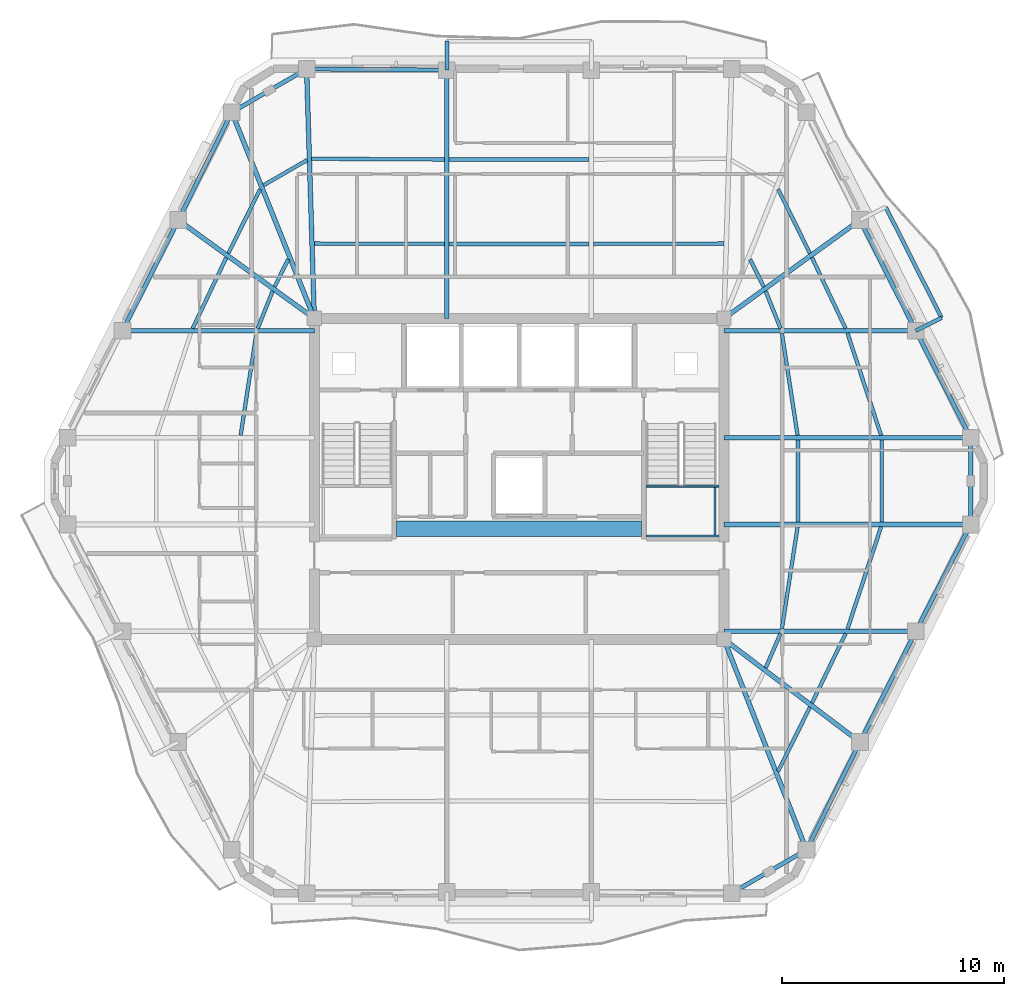
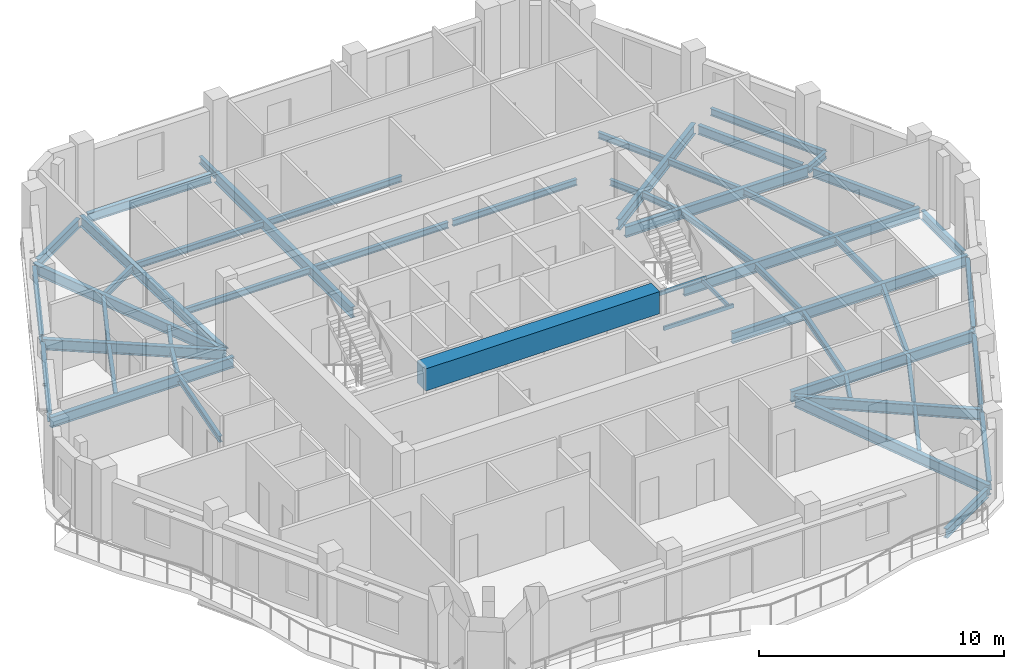
# One storey, part 2 of 11: 54 beams.
"""IFC4 building model written with IfcOpenShell, lengths in metres."""

from ifc_helpers import new_model, si_unit, direction, frame, origin, origin_2d, place, context, subcontext, project, spatial, rectangle, hollow_rectangle, i_section, extrude, material, material_profile, profile_set, type_object, element, save


model = new_model("IFC4")

# Units and contexts
model_context = context("Model", 3, precision=1e-05, world=origin(), true_north=direction((0.0, 1.0)))
body_context = subcontext(model_context, "Body", "Model", "MODEL_VIEW")
ifc_project = project(units=[si_unit("LENGTHUNIT", "METRE"), si_unit("AREAUNIT", "SQUARE_METRE"), si_unit("VOLUMEUNIT", "CUBIC_METRE"), si_unit("PLANEANGLEUNIT", "RADIAN"), si_unit("MASSUNIT", "GRAM", prefix="KILO")], contexts=[model_context])

# Site, building, storey
site_placement = place(None, origin())
site = spatial("IfcSite", under=ifc_project, at=site_placement, CompositionType="ELEMENT")
building_placement = place(site_placement, origin())
building = spatial("IfcBuilding", under=site, at=building_placement, Name="Cinnabar Lancet Tower", CompositionType="ELEMENT")
storey_placement = place(building_placement, frame((0.0, 0.0, 241.60009765625)))
storey = spatial("IfcBuildingStorey", under=building, at=storey_placement, Name="L64", CompositionType="ELEMENT", Elevation=241.60009765625)

# Beams
ifc_material_1 = material(Name="Concrete C70/85", Category="concrete")
ifc_material_profile_1 = material_profile(ifc_material_1, rectangle(XDim=0.699951171875, YDim=1.10009765625, at=origin_2d()), Name="RC-CB 700x1100")
ifc_profile_set_1 = profile_set([ifc_material_profile_1], Name="Concrete C70/85")
beam_type_1 = type_object("IfcBeamType", Name="STR-BM-CB-1100", PredefinedType="BEAM", material=ifc_profile_set_1)
beam_1_placement = place(storey_placement, frame((26.8798828125, 23.64990234375, 2.89990234375), z_axis=(1.0, 0.0, 0.0), x_axis=(0.0, 1.0, 0.0)))
element("IfcBeam", 1, at=beam_1_placement, inside=storey, type_object=beam_type_1, Name="L64 Core Coupling Beam", PredefinedType="BEAM", context=body_context, shape_type="SweptSolid", body=[
    extrude(rectangle(XDim=0.699951171875, YDim=1.10009765625, at=origin_2d()), origin(), (0.0, 0.0, 1.0), 11.0400390625),
])
ifc_material_2 = material(Name="Structural steel S355", Category="steel")
ifc_material_profile_2 = material_profile(ifc_material_2, i_section(OverallWidth=0.1650390625, OverallDepth=0.303466796875, WebThickness=0.006103515625, FlangeThickness=0.01025390625, FilletRadius=0.0087890625, at=origin_2d()), Name="UKB 305x165x40")
ifc_profile_set_2 = profile_set([ifc_material_profile_2], Name="Structural steel S355")
beam_type_2 = type_object("IfcBeamType", Name="STR-BM-JST-305", PredefinedType="JOIST", material=ifc_profile_set_2)
beam_2_placement = place(storey_placement, frame((44.06591796875, 12.73193359375, -0.35205078125), z_axis=(0.444391284604, 0.895832789179, 0.0), x_axis=(-0.895832789179, 0.444391284604, 0.0)))
element("IfcBeam", 2, at=beam_2_placement, inside=storey, type_object=beam_type_2, Name="L64 Secondary Floor Joist 15", PredefinedType="JOIST", context=body_context, shape_type="SweptSolid", body=[
    extrude(i_section(OverallWidth=0.1650390625, OverallDepth=0.303466796875, WebThickness=0.006103515625, FlangeThickness=0.01025390625, FilletRadius=0.0087890625, at=origin_2d()), origin(), (0.0, 0.0, 1.0), 3.220458984375),
])
beam_3_placement = place(storey_placement, frame((45.591064453125, 15.80810546875, -0.35205078125), z_axis=(0.43610936109, 0.899893674369, 0.0), x_axis=(-0.899893674369, 0.43610936109, 0.0)))
element("IfcBeam", 3, at=beam_3_placement, inside=storey, type_object=beam_type_2, Name="L64 Secondary Floor Joist 17", PredefinedType="JOIST", context=body_context, shape_type="SweptSolid", body=[
    extrude(i_section(OverallWidth=0.1650390625, OverallDepth=0.303466796875, WebThickness=0.006103515625, FlangeThickness=0.01025390625, FilletRadius=0.0087890625, at=origin_2d()), origin(), (0.0, 0.0, 1.0), 3.467041015625),
])
beam_4_placement = place(storey_placement, frame((43.5048828125, 17.385009765625, -0.35205078125), z_axis=(0.396302440144, 0.91812002262, 0.0), x_axis=(-0.91812002262, 0.396302440144, 0.0)))
element("IfcBeam", 4, at=beam_4_placement, inside=storey, type_object=beam_type_2, Name="L64 Secondary Floor Joist 18", PredefinedType="JOIST", context=body_context, shape_type="SweptSolid", body=[
    extrude(i_section(OverallWidth=0.1650390625, OverallDepth=0.303466796875, WebThickness=0.006103515625, FlangeThickness=0.01025390625, FilletRadius=0.0087890625, at=origin_2d()), origin(), (0.0, 0.0, 1.0), 1.6806640625),
])
beam_5_placement = place(storey_placement, frame((47.18798828125, 19.137939453125, -0.35205078125), z_axis=(0.312491145371, 0.949920672512, 0.0), x_axis=(-0.949920672512, 0.312491145371, 0.0)))
element("IfcBeam", 5, at=beam_5_placement, inside=storey, type_object=beam_type_2, Name="L64 Secondary Floor Joist 19", PredefinedType="JOIST", context=body_context, shape_type="SweptSolid", body=[
    extrude(i_section(OverallWidth=0.1650390625, OverallDepth=0.303466796875, WebThickness=0.006103515625, FlangeThickness=0.01025390625, FilletRadius=0.0087890625, at=origin_2d()), origin(), (0.0, 0.0, 1.0), 4.8447265625),
])
beam_6_placement = place(storey_placement, frame((44.23291015625, 19.137939453125, -0.35205078125), z_axis=(0.152262059154, 0.988340156698, 0.0), x_axis=(-0.988340156698, 0.152262059154, 0.0)))
element("IfcBeam", 6, at=beam_6_placement, inside=storey, type_object=beam_type_2, Name="L64 Secondary Floor Joist 20", PredefinedType="JOIST", context=body_context, shape_type="SweptSolid", body=[
    extrude(i_section(OverallWidth=0.1650390625, OverallDepth=0.303466796875, WebThickness=0.006103515625, FlangeThickness=0.01025390625, FilletRadius=0.0087890625, at=origin_2d()), origin(), (0.0, 0.0, 1.0), 4.65625),
])
for number, where, z_axis, x_axis, name in (
    (7, (48.737060546875, 23.949951171875, -0.35205078125), (0.0, 1.0, 0.0), (-1.0, 0.0, 0.0), "L64 Secondary Floor Joist 21"),
    (8, (44.958984375, 23.949951171875, -0.35205078125), (0.0, 1.0, 0.0), (-1.0, 0.0, 0.0), "L64 Secondary Floor Joist 22"),
):
    element("IfcBeam", number, at=place(storey_placement, frame(where, z_axis=z_axis, x_axis=x_axis)), inside=storey, type_object=beam_type_2, Name=name, PredefinedType="JOIST", context=body_context, shape_type="SweptSolid", body=[
        extrude(i_section(OverallWidth=0.1650390625, OverallDepth=0.303466796875, WebThickness=0.006103515625, FlangeThickness=0.01025390625, FilletRadius=0.0087890625, at=origin_2d()), origin(), (0.0, 0.0, 1.0), 3.699951171875),
    ])
beam_7_placement = place(storey_placement, frame((48.701904296875, 27.860107421875, -0.35205078125), z_axis=(-0.312506104996, 0.94991575118, 0.0), x_axis=(-0.94991575118, -0.312506104996, 0.0)))
element("IfcBeam", 9, at=beam_7_placement, inside=storey, type_object=beam_type_2, Name="L64 Secondary Floor Joist 23", PredefinedType="JOIST", context=body_context, shape_type="SweptSolid", body=[
    extrude(i_section(OverallWidth=0.1650390625, OverallDepth=0.303466796875, WebThickness=0.006103515625, FlangeThickness=0.01025390625, FilletRadius=0.0087890625, at=origin_2d()), origin(), (0.0, 0.0, 1.0), 4.844482421875),
])
beam_8_placement = place(storey_placement, frame((44.94189453125, 27.860107421875, -0.35205078125), z_axis=(-0.152269949853, 0.988338941038, 0.0), x_axis=(-0.988338941038, -0.152269949853, 0.0)))
element("IfcBeam", 10, at=beam_8_placement, inside=storey, type_object=beam_type_2, Name="L64 Secondary Floor Joist 24", PredefinedType="JOIST", context=body_context, shape_type="SweptSolid", body=[
    extrude(i_section(OverallWidth=0.1650390625, OverallDepth=0.303466796875, WebThickness=0.006103515625, FlangeThickness=0.01025390625, FilletRadius=0.0087890625, at=origin_2d()), origin(), (0.0, 0.0, 1.0), 4.656005859375),
])
beam_9_placement = place(storey_placement, frame((47.10400390625, 32.672119140625, -0.35205078125), z_axis=(-0.428647868514, 0.903471640296, 0.0), x_axis=(-0.903471640296, -0.428647868514, 0.0)))
element("IfcBeam", 11, at=beam_9_placement, inside=storey, type_object=beam_type_2, Name="L64 Secondary Floor Joist 25", PredefinedType="JOIST", context=body_context, shape_type="SweptSolid", body=[
    extrude(i_section(OverallWidth=0.1650390625, OverallDepth=0.303466796875, WebThickness=0.006103515625, FlangeThickness=0.01025390625, FilletRadius=0.0087890625, at=origin_2d()), origin(), (0.0, 0.0, 1.0), 3.53173828125),
])
beam_10_placement = place(storey_placement, frame((44.175048828125, 32.672119140625, -0.35205078125), z_axis=(-0.37155332079, 0.928411616585, 0.0), x_axis=(-0.928411616585, -0.37155332079, 0.0)))
element("IfcBeam", 12, at=beam_10_placement, inside=storey, type_object=beam_type_2, Name="L64 Secondary Floor Joist 26", PredefinedType="JOIST", context=body_context, shape_type="SweptSolid", body=[
    extrude(i_section(OverallWidth=0.1650390625, OverallDepth=0.303466796875, WebThickness=0.006103515625, FlangeThickness=0.01025390625, FilletRadius=0.0087890625, at=origin_2d()), origin(), (0.0, 0.0, 1.0), 1.8115234375),
])
beam_11_placement = place(storey_placement, frame((45.4970703125, 36.054931640625, -0.35205078125), z_axis=(-0.44427059531, 0.895892648783, 0.0), x_axis=(-0.895892648783, -0.44427059531, 0.0)))
element("IfcBeam", 13, at=beam_11_placement, inside=storey, type_object=beam_type_2, Name="L64 Secondary Floor Joist 27", PredefinedType="JOIST", context=body_context, shape_type="SweptSolid", body=[
    extrude(i_section(OverallWidth=0.1650390625, OverallDepth=0.303466796875, WebThickness=0.006103515625, FlangeThickness=0.01025390625, FilletRadius=0.0087890625, at=origin_2d()), origin(), (0.0, 0.0, 1.0), 3.221435546875),
])
beam_12_placement = place(storey_placement, frame((43.4150390625, 34.549072265625, -0.35205078125), z_axis=(-0.444661746427, 0.895698571655, 0.0), x_axis=(-0.895698571655, -0.444661746427, 0.0)))
element("IfcBeam", 14, at=beam_12_placement, inside=storey, type_object=beam_type_2, Name="L64 Secondary Floor Joist 28", PredefinedType="JOIST", context=body_context, shape_type="SweptSolid", body=[
    extrude(i_section(OverallWidth=0.1650390625, OverallDepth=0.303466796875, WebThickness=0.006103515625, FlangeThickness=0.01025390625, FilletRadius=0.0087890625, at=origin_2d()), origin(), (0.0, 0.0, 1.0), 1.378662109375),
])
beam_13_placement = place(storey_placement, frame((41.6240234375, 36.49609375, -0.35205078125), z_axis=(-0.999996226008, -0.002747356738, 0.0), x_axis=(0.002747356738, -0.999996226008, 0.0)))
element("IfcBeam", 15, at=beam_13_placement, inside=storey, type_object=beam_type_2, Name="L64 Secondary Floor Joist 31", PredefinedType="JOIST", context=body_context, shape_type="SweptSolid", body=[
    extrude(i_section(OverallWidth=0.1650390625, OverallDepth=0.303466796875, WebThickness=0.006103515625, FlangeThickness=0.01025390625, FilletRadius=0.0087890625, at=origin_2d()), origin(), (0.0, 0.0, 1.0), 5.864990234375),
])
for number, where, z_axis, x_axis, name in (
    (16, (35.549072265625, 40.281982421875, -0.35205078125), (-1.0, 0.0, 0.0), (0.0, -1.0, 0.0), "L64 Secondary Floor Joist 32"),
    (17, (35.549072265625, 36.47998046875, -0.35205078125), (-1.0, 0.0, 0.0), (0.0, -1.0, 0.0), "L64 Secondary Floor Joist 33"),
):
    element("IfcBeam", number, at=place(storey_placement, frame(where, z_axis=z_axis, x_axis=x_axis)), inside=storey, type_object=beam_type_2, Name=name, PredefinedType="JOIST", context=body_context, shape_type="SweptSolid", body=[
        extrude(i_section(OverallWidth=0.1650390625, OverallDepth=0.303466796875, WebThickness=0.006103515625, FlangeThickness=0.01025390625, FilletRadius=0.0087890625, at=origin_2d()), origin(), (0.0, 0.0, 1.0), 6.298095703125),
    ])
beam_14_placement = place(storey_placement, frame((29.041015625, 40.282958984375, -0.35205078125), z_axis=(-0.999985712428, 0.005345553266, 0.0), x_axis=(-0.005345553266, -0.999985712428, 0.0)))
element("IfcBeam", 18, at=beam_14_placement, inside=storey, type_object=beam_type_2, Name="L64 Secondary Floor Joist 34", PredefinedType="JOIST", context=body_context, shape_type="SweptSolid", body=[
    extrude(i_section(OverallWidth=0.1650390625, OverallDepth=0.303466796875, WebThickness=0.006103515625, FlangeThickness=0.01025390625, FilletRadius=0.0087890625, at=origin_2d()), origin(), (0.0, 0.0, 1.0), 5.98291015625),
])
beam_15_placement = place(storey_placement, frame((29.041015625, 36.47998046875, -0.35205078125), z_axis=(-0.999996226008, 0.002747356738, 0.0), x_axis=(-0.002747356738, -0.999996226008, 0.0)))
element("IfcBeam", 19, at=beam_15_placement, inside=storey, type_object=beam_type_2, Name="L64 Secondary Floor Joist 35", PredefinedType="JOIST", context=body_context, shape_type="SweptSolid", body=[
    extrude(i_section(OverallWidth=0.1650390625, OverallDepth=0.303466796875, WebThickness=0.006103515625, FlangeThickness=0.01025390625, FilletRadius=0.0087890625, at=origin_2d()), origin(), (0.0, 0.0, 1.0), 5.864990234375),
])
beam_16_placement = place(storey_placement, frame((22.85009765625, 40.256103515625, -0.35205078125), z_axis=(-0.865426285481, -0.501036270542, 0.0), x_axis=(0.501036270542, -0.865426285481, 0.0)))
element("IfcBeam", 20, at=beam_16_placement, inside=storey, type_object=beam_type_2, Name="L64 Secondary Floor Joist 36", PredefinedType="JOIST", context=body_context, shape_type="SweptSolid", body=[
    extrude(i_section(OverallWidth=0.1650390625, OverallDepth=0.303466796875, WebThickness=0.006103515625, FlangeThickness=0.01025390625, FilletRadius=0.0087890625, at=origin_2d()), origin(), (0.0, 0.0, 1.0), 2.267333984375),
])
beam_17_placement = place(storey_placement, frame((20.73388671875, 38.94091796875, -0.35205078125), z_axis=(-0.444209762814, -0.89592281287, 0.0), x_axis=(0.89592281287, -0.444209762814, 0.0)))
element("IfcBeam", 21, at=beam_17_placement, inside=storey, type_object=beam_type_2, Name="L64 Secondary Floor Joist 37", PredefinedType="JOIST", context=body_context, shape_type="SweptSolid", body=[
    extrude(i_section(OverallWidth=0.1650390625, OverallDepth=0.303466796875, WebThickness=0.006103515625, FlangeThickness=0.01025390625, FilletRadius=0.0087890625, at=origin_2d()), origin(), (0.0, 0.0, 1.0), 3.22119140625),
])
beam_18_placement = place(storey_placement, frame((21.998046875, 35.783935546875, -0.35205078125), z_axis=(-0.444661746427, -0.895698571655, 0.0), x_axis=(0.895698571655, -0.444661746427, 0.0)))
element("IfcBeam", 22, at=beam_18_placement, inside=storey, type_object=beam_type_2, Name="L64 Secondary Floor Joist 38", PredefinedType="JOIST", context=body_context, shape_type="SweptSolid", body=[
    extrude(i_section(OverallWidth=0.1650390625, OverallDepth=0.303466796875, WebThickness=0.006103515625, FlangeThickness=0.01025390625, FilletRadius=0.0087890625, at=origin_2d()), origin(), (0.0, 0.0, 1.0), 1.378662109375),
])
beam_19_placement = place(storey_placement, frame((19.2099609375, 35.863037109375, -0.35205078125), z_axis=(-0.428647868514, -0.903471640296, 0.0), x_axis=(0.903471640296, -0.428647868514, 0.0)))
element("IfcBeam", 23, at=beam_19_placement, inside=storey, type_object=beam_type_2, Name="L64 Secondary Floor Joist 39", PredefinedType="JOIST", context=body_context, shape_type="SweptSolid", body=[
    extrude(i_section(OverallWidth=0.1650390625, OverallDepth=0.303466796875, WebThickness=0.006103515625, FlangeThickness=0.01025390625, FilletRadius=0.0087890625, at=origin_2d()), origin(), (0.0, 0.0, 1.0), 3.53173828125),
])
beam_20_placement = place(storey_placement, frame((21.298095703125, 34.35400390625, -0.35205078125), z_axis=(-0.37155332079, -0.928411616585, 0.0), x_axis=(0.928411616585, -0.37155332079, 0.0)))
element("IfcBeam", 24, at=beam_20_placement, inside=storey, type_object=beam_type_2, Name="L64 Secondary Floor Joist 40", PredefinedType="JOIST", context=body_context, shape_type="SweptSolid", body=[
    extrude(i_section(OverallWidth=0.1650390625, OverallDepth=0.303466796875, WebThickness=0.006103515625, FlangeThickness=0.01025390625, FilletRadius=0.0087890625, at=origin_2d()), origin(), (0.0, 0.0, 1.0), 1.8115234375),
])
beam_21_placement = place(storey_placement, frame((20.56689453125, 32.4619140625, -0.35205078125), z_axis=(-0.152269949853, -0.988338941038, 0.0), x_axis=(0.988338941038, -0.152269949853, 0.0)))
element("IfcBeam", 25, at=beam_21_placement, inside=storey, type_object=beam_type_2, Name="L64 Secondary Floor Joist 42", PredefinedType="JOIST", context=body_context, shape_type="SweptSolid", body=[
    extrude(i_section(OverallWidth=0.1650390625, OverallDepth=0.303466796875, WebThickness=0.006103515625, FlangeThickness=0.01025390625, FilletRadius=0.0087890625, at=origin_2d()), origin(), (0.0, 0.0, 1.0), 4.656005859375),
])
ifc_material_3 = material(Name="Structural steel S355", Category="steel")
ifc_material_profile_3 = material_profile(ifc_material_3, hollow_rectangle(XDim=0.10009765625, YDim=0.199951171875, WallThickness=0.008056640625, InnerFilletRadius=0.00390625, OuterFilletRadius=0.011962890625, at=origin_2d()), Name="RHS 200x100x8")
ifc_profile_set_3 = profile_set([ifc_material_profile_3], Name="Structural steel S355")
beam_type_3 = type_object("IfcBeamType", Name="STR-BM-LND-203", PredefinedType="BEAM", material=ifc_profile_set_3)
for number, where, z_axis, x_axis, name in (
    (26, (38.1201171875, 23.330078125, 1.52490234375), (1.0, 0.0, 0.0), (0.0, 1.0, 0.0), "L64 ST-2-L64 Landing Support Beam S"),
    (27, (38.1201171875, 25.570068359375, 1.52490234375), (1.0, 0.0, 0.0), (0.0, 1.0, 0.0), "L64 ST-2-L64 Landing Support Beam N"),
):
    element("IfcBeam", number, at=place(storey_placement, frame(where, z_axis=z_axis, x_axis=x_axis)), inside=storey, type_object=beam_type_3, Name=name, PredefinedType="BEAM", context=body_context, shape_type="SweptSolid", body=[
        extrude(hollow_rectangle(XDim=0.10009765625, YDim=0.199951171875, WallThickness=0.008056640625, InnerFilletRadius=0.00390625, OuterFilletRadius=0.011962890625, at=origin_2d()), origin(), (0.0, 0.0, 1.0), 3.27978515625),
    ])
beam_22_placement = place(storey_placement, frame((41.219970703125, 23.3798828125, 1.52490234375), z_axis=(0.0, 1.0, 0.0), x_axis=(-1.0, 0.0, 0.0)))
element("IfcBeam", 28, at=beam_22_placement, inside=storey, type_object=beam_type_3, Name="L64 ST-2-L64 Landing Side Trimmer Beam", PredefinedType="BEAM", context=body_context, shape_type="SweptSolid", body=[
    extrude(hollow_rectangle(XDim=0.10009765625, YDim=0.199951171875, WallThickness=0.008056640625, InnerFilletRadius=0.00390625, OuterFilletRadius=0.011962890625, at=origin_2d()), origin(), (0.0, 0.0, 1.0), 2.14013671875),
])
ifc_material_4 = material(Name="Structural steel S355", Category="steel")
ifc_material_profile_4 = material_profile(ifc_material_4, i_section(OverallWidth=0.1904296875, OverallDepth=0.45703125, WebThickness=0.009033203125, FlangeThickness=0.014404296875, FilletRadius=0.01025390625, at=origin_2d()), Name="UKB 457x191x74")
ifc_profile_set_4 = profile_set([ifc_material_profile_4], Name="Structural steel S355")
beam_type_4 = type_object("IfcBeamType", Name="STR-BM-SPN-457", PredefinedType="SPANDREL", material=ifc_profile_set_4)
beam_23_placement = place(storey_placement, frame((42.18798828125, 7.364013671875, -0.427978515625), z_axis=(0.865230894194, 0.50137361292, 0.0), x_axis=(-0.50137361292, 0.865230894194, 0.0)))
element("IfcBeam", 29, at=beam_23_placement, inside=storey, type_object=beam_type_4, Name="L64 Perimeter Spandrel 4", PredefinedType="SPANDREL", context=body_context, shape_type="SweptSolid", body=[
    extrude(i_section(OverallWidth=0.1904296875, OverallDepth=0.45703125, WebThickness=0.009033203125, FlangeThickness=0.014404296875, FilletRadius=0.01025390625, at=origin_2d()), origin(), (0.0, 0.0, 1.0), 3.39453125),
])
beam_24_placement = place(storey_placement, frame((45.451904296875, 9.4150390625, -0.427978515625), z_axis=(0.444372599207, 0.895842058107, 0.0), x_axis=(-0.895842058107, 0.444372599207, 0.0)))
element("IfcBeam", 30, at=beam_24_placement, inside=storey, type_object=beam_type_4, Name="L64 Perimeter Spandrel 5", PredefinedType="SPANDREL", context=body_context, shape_type="SweptSolid", body=[
    extrude(i_section(OverallWidth=0.1904296875, OverallDepth=0.45703125, WebThickness=0.009033203125, FlangeThickness=0.014404296875, FilletRadius=0.01025390625, at=origin_2d()), origin(), (0.0, 0.0, 1.0), 4.91943359375),
])
beam_25_placement = place(storey_placement, frame((47.862060546875, 14.26904296875, -0.427978515625), z_axis=(0.450091864122, 0.892982258419, 0.0), x_axis=(-0.892982258419, 0.450091864122, 0.0)))
element("IfcBeam", 31, at=beam_25_placement, inside=storey, type_object=beam_type_4, Name="L64 Perimeter Spandrel 6", PredefinedType="SPANDREL", context=body_context, shape_type="SweptSolid", body=[
    extrude(i_section(OverallWidth=0.1904296875, OverallDepth=0.45703125, WebThickness=0.009033203125, FlangeThickness=0.014404296875, FilletRadius=0.01025390625, at=origin_2d()), origin(), (0.0, 0.0, 1.0), 5.085205078125),
])
beam_26_placement = place(storey_placement, frame((50.3779296875, 19.2548828125, -0.427978515625), z_axis=(0.457127852293, 0.889400993174, 0.0), x_axis=(-0.889400993174, 0.457127852293, 0.0)))
element("IfcBeam", 32, at=beam_26_placement, inside=storey, type_object=beam_type_4, Name="L64 Perimeter Spandrel 7", PredefinedType="SPANDREL", context=body_context, shape_type="SweptSolid", body=[
    extrude(i_section(OverallWidth=0.1904296875, OverallDepth=0.45703125, WebThickness=0.009033203125, FlangeThickness=0.014404296875, FilletRadius=0.01025390625, at=origin_2d()), origin(), (0.0, 0.0, 1.0), 4.911376953125),
])
beam_27_placement = place(storey_placement, frame((52.737060546875, 24.094970703125, -0.427978515625), z_axis=(0.0, 1.0, 0.0), x_axis=(-1.0, 0.0, 0.0)))
element("IfcBeam", 33, at=beam_27_placement, inside=storey, type_object=beam_type_4, Name="L64 Perimeter Spandrel 8", PredefinedType="SPANDREL", context=body_context, shape_type="SweptSolid", body=[
    extrude(i_section(OverallWidth=0.1904296875, OverallDepth=0.45703125, WebThickness=0.009033203125, FlangeThickness=0.014404296875, FilletRadius=0.01025390625, at=origin_2d()), origin(), (0.0, 0.0, 1.0), 3.409912109375),
])
beam_28_placement = place(storey_placement, frame((52.623046875, 27.97705078125, -0.427978515625), z_axis=(-0.457148063427, 0.889390604912, 0.0), x_axis=(-0.889390604912, -0.457148063427, 0.0)))
element("IfcBeam", 34, at=beam_28_placement, inside=storey, type_object=beam_type_4, Name="L64 Perimeter Spandrel 9", PredefinedType="SPANDREL", context=body_context, shape_type="SweptSolid", body=[
    extrude(i_section(OverallWidth=0.1904296875, OverallDepth=0.45703125, WebThickness=0.009033203125, FlangeThickness=0.014404296875, FilletRadius=0.01025390625, at=origin_2d()), origin(), (0.0, 0.0, 1.0), 4.9111328125),
])
beam_29_placement = place(storey_placement, frame((50.15087890625, 32.7900390625, -0.427978515625), z_axis=(-0.450091864122, 0.892982258419, 0.0), x_axis=(-0.892982258419, -0.450091864122, 0.0)))
element("IfcBeam", 35, at=beam_29_placement, inside=storey, type_object=beam_type_4, Name="L64 Perimeter Spandrel 10", PredefinedType="SPANDREL", context=body_context, shape_type="SweptSolid", body=[
    extrude(i_section(OverallWidth=0.1904296875, OverallDepth=0.45703125, WebThickness=0.009033203125, FlangeThickness=0.014404296875, FilletRadius=0.01025390625, at=origin_2d()), origin(), (0.0, 0.0, 1.0), 5.085205078125),
])
beam_30_placement = place(storey_placement, frame((28.89599609375, 44.31005859375, -0.427978515625), z_axis=(-0.999964785419, 0.008392134492, 0.0), x_axis=(-0.008392134492, -0.999964785419, 0.0)))
element("IfcBeam", 36, at=beam_30_placement, inside=storey, type_object=beam_type_4, Name="L64 Perimeter Spandrel 15", PredefinedType="SPANDREL", context=body_context, shape_type="SweptSolid", body=[
    extrude(i_section(OverallWidth=0.1904296875, OverallDepth=0.45703125, WebThickness=0.009033203125, FlangeThickness=0.014404296875, FilletRadius=0.01025390625, at=origin_2d()), origin(), (0.0, 0.0, 1.0), 5.818359375),
])
beam_31_placement = place(storey_placement, frame((22.612060546875, 44.236083984375, -0.427978515625), z_axis=(-0.865199693264, -0.501427453153, 0.0), x_axis=(0.501427453153, -0.865199693264, 0.0)))
element("IfcBeam", 37, at=beam_31_placement, inside=storey, type_object=beam_type_4, Name="L64 Perimeter Spandrel 16", PredefinedType="SPANDREL", context=body_context, shape_type="SweptSolid", body=[
    extrude(i_section(OverallWidth=0.1904296875, OverallDepth=0.45703125, WebThickness=0.009033203125, FlangeThickness=0.014404296875, FilletRadius=0.01025390625, at=origin_2d()), origin(), (0.0, 0.0, 1.0), 3.39453125),
])
beam_32_placement = place(storey_placement, frame((19.347900390625, 42.18505859375, -0.427978515625), z_axis=(-0.44433276947, -0.895861814107, 0.0), x_axis=(0.895861814107, -0.44433276947, 0.0)))
element("IfcBeam", 38, at=beam_32_placement, inside=storey, type_object=beam_type_4, Name="L64 Perimeter Spandrel 17", PredefinedType="SPANDREL", context=body_context, shape_type="SweptSolid", body=[
    extrude(i_section(OverallWidth=0.1904296875, OverallDepth=0.45703125, WebThickness=0.009033203125, FlangeThickness=0.014404296875, FilletRadius=0.01025390625, at=origin_2d()), origin(), (0.0, 0.0, 1.0), 4.919189453125),
])
beam_33_placement = place(storey_placement, frame((16.93798828125, 37.3310546875, -0.427978515625), z_axis=(-0.450130146726, -0.892962961722, 0.0), x_axis=(0.892962961722, -0.450130146726, 0.0)))
element("IfcBeam", 39, at=beam_33_placement, inside=storey, type_object=beam_type_4, Name="L64 Perimeter Spandrel 18", PredefinedType="SPANDREL", context=body_context, shape_type="SweptSolid", body=[
    extrude(i_section(OverallWidth=0.1904296875, OverallDepth=0.45703125, WebThickness=0.009033203125, FlangeThickness=0.014404296875, FilletRadius=0.01025390625, at=origin_2d()), origin(), (0.0, 0.0, 1.0), 5.08544921875),
])
ifc_material_5 = material(Name="Structural steel S355", Category="steel")
ifc_material_profile_5 = material_profile(ifc_material_5, i_section(OverallWidth=0.209228515625, OverallDepth=0.533203125, WebThickness=0.010009765625, FlangeThickness=0.015625, FilletRadius=0.0126953125, at=origin_2d()), Name="UKB 533x210x92")
ifc_profile_set_5 = profile_set([ifc_material_profile_5], Name="Structural steel S355")
beam_type_5 = type_object("IfcBeamType", Name="STR-BM-UKB533-92", PredefinedType="BEAM", material=ifc_profile_set_5)
beam_34_placement = place(storey_placement, frame((47.7490234375, 14.0458984375, -0.467041015625), z_axis=(-0.797735075719, 0.603008083667, 0.0), x_axis=(-0.603008083667, -0.797735075719, 0.0)))
element("IfcBeam", 40, at=beam_34_placement, inside=storey, type_object=beam_type_5, Name="L64 Corner Collector Girder 2", PredefinedType="BEAM", context=body_context, shape_type="SweptSolid", body=[
    extrude(i_section(OverallWidth=0.209228515625, OverallDepth=0.533203125, WebThickness=0.010009765625, FlangeThickness=0.015625, FilletRadius=0.0126953125, at=origin_2d()), origin(), (0.0, 0.0, 1.0), 7.6767578125),
])
for number, where, z_axis, x_axis, name in (
    (41, (47.7490234375, 37.553955078125, -0.467041015625), (-0.810299148474, -0.586016458797, 0.0), (0.586016458797, -0.810299148474, 0.0), "L64 Corner Collector Girder 3"),
    (42, (17.051025390625, 37.553955078125, -0.467041015625), (0.810299148474, -0.586016458797, 0.0), (0.586016458797, 0.810299148474, 0.0), "L64 Corner Collector Girder 4"),
):
    element("IfcBeam", number, at=place(storey_placement, frame(where, z_axis=z_axis, x_axis=x_axis)), inside=storey, type_object=beam_type_5, Name=name, PredefinedType="BEAM", context=body_context, shape_type="SweptSolid", body=[
        extrude(i_section(OverallWidth=0.209228515625, OverallDepth=0.533203125, WebThickness=0.010009765625, FlangeThickness=0.015625, FilletRadius=0.0126953125, at=origin_2d()), origin(), (0.0, 0.0, 1.0), 7.5576171875),
    ])
beam_35_placement = place(storey_placement, frame((45.341064453125, 9.19091796875, -0.467041015625), z_axis=(-0.364815017375, 0.931080019707, 0.0), x_axis=(-0.931080019707, -0.364815017375, 0.0)))
element("IfcBeam", 43, at=beam_35_placement, inside=storey, type_object=beam_type_5, Name="L64 Primary Floor Girder 5", PredefinedType="BEAM", context=body_context, shape_type="SweptSolid", body=[
    extrude(i_section(OverallWidth=0.209228515625, OverallDepth=0.533203125, WebThickness=0.010009765625, FlangeThickness=0.015625, FilletRadius=0.0126953125, at=origin_2d()), origin(), (0.0, 0.0, 1.0), 10.186279296875),
])
beam_36_placement = place(storey_placement, frame((50.263916015625, 19.032958984375, -0.467041015625), z_axis=(-1.0, 0.0, 0.0), x_axis=(0.0, -1.0, 0.0)))
element("IfcBeam", 44, at=beam_36_placement, inside=storey, type_object=beam_type_5, Name="L64 Primary Floor Girder 7", PredefinedType="BEAM", context=body_context, shape_type="SweptSolid", body=[
    extrude(i_section(OverallWidth=0.209228515625, OverallDepth=0.533203125, WebThickness=0.010009765625, FlangeThickness=0.015625, FilletRadius=0.0126953125, at=origin_2d()), origin(), (0.0, 0.0, 1.0), 8.638916015625),
])
for number, where, z_axis, x_axis, name in (
    (45, (52.737060546875, 23.844970703125, -0.467041015625), (-1.0, 0.0, 0.0), (0.0, -1.0, 0.0), "L64 Primary Floor Girder 8"),
    (46, (52.737060546875, 27.7548828125, -0.467041015625), (-1.0, 0.0, 0.0), (0.0, -1.0, 0.0), "L64 Primary Floor Girder 9"),
):
    element("IfcBeam", number, at=place(storey_placement, frame(where, z_axis=z_axis, x_axis=x_axis)), inside=storey, type_object=beam_type_5, Name=name, PredefinedType="BEAM", context=body_context, shape_type="SweptSolid", body=[
        extrude(i_section(OverallWidth=0.209228515625, OverallDepth=0.533203125, WebThickness=0.010009765625, FlangeThickness=0.015625, FilletRadius=0.0126953125, at=origin_2d()), origin(), (0.0, 0.0, 1.0), 11.112060546875),
    ])
beam_37_placement = place(storey_placement, frame((50.263916015625, 32.56689453125, -0.467041015625), z_axis=(-1.0, 0.0, 0.0), x_axis=(0.0, -1.0, 0.0)))
element("IfcBeam", 47, at=beam_37_placement, inside=storey, type_object=beam_type_5, Name="L64 Primary Floor Girder 10", PredefinedType="BEAM", context=body_context, shape_type="SweptSolid", body=[
    extrude(i_section(OverallWidth=0.209228515625, OverallDepth=0.533203125, WebThickness=0.010009765625, FlangeThickness=0.015625, FilletRadius=0.0126953125, at=origin_2d()), origin(), (0.0, 0.0, 1.0), 8.638916015625),
])
beam_38_placement = place(storey_placement, frame((29.14599609375, 44.30810546875, -0.467041015625), z_axis=(0.0, -1.0, 0.0), x_axis=(1.0, 0.0, 0.0)))
element("IfcBeam", 48, at=beam_38_placement, inside=storey, type_object=beam_type_5, Name="L64 Primary Floor Girder 15", PredefinedType="BEAM", context=body_context, shape_type="SweptSolid", body=[
    extrude(i_section(OverallWidth=0.209228515625, OverallDepth=0.533203125, WebThickness=0.010009765625, FlangeThickness=0.015625, FilletRadius=0.0126953125, at=origin_2d()), origin(), (0.0, 0.0, 1.0), 11.18310546875),
])
beam_39_placement = place(storey_placement, frame((22.827880859375, 44.361083984375, -0.467041015625), z_axis=(0.030882856862, -0.999523010817, 0.0), x_axis=(0.999523010817, 0.030882856862, 0.0)))
element("IfcBeam", 49, at=beam_39_placement, inside=storey, type_object=beam_type_5, Name="L64 Primary Floor Girder 16", PredefinedType="BEAM", context=body_context, shape_type="SweptSolid", body=[
    extrude(i_section(OverallWidth=0.209228515625, OverallDepth=0.533203125, WebThickness=0.010009765625, FlangeThickness=0.015625, FilletRadius=0.0126953125, at=origin_2d()), origin(), (0.0, 0.0, 1.0), 11.241455078125),
])
beam_40_placement = place(storey_placement, frame((19.458984375, 42.408935546875, -0.467041015625), z_axis=(0.371605341166, -0.928390796172, 0.0), x_axis=(0.928390796172, 0.371605341166, 0.0)))
element("IfcBeam", 50, at=beam_40_placement, inside=storey, type_object=beam_type_5, Name="L64 Primary Floor Girder 17", PredefinedType="BEAM", context=body_context, shape_type="SweptSolid", body=[
    extrude(i_section(OverallWidth=0.209228515625, OverallDepth=0.533203125, WebThickness=0.010009765625, FlangeThickness=0.015625, FilletRadius=0.0126953125, at=origin_2d()), origin(), (0.0, 0.0, 1.0), 10.0),
])
beam_41_placement = place(storey_placement, frame((14.535888671875, 32.56689453125, -0.467041015625), z_axis=(1.0, 0.0, 0.0), x_axis=(0.0, 1.0, 0.0)))
element("IfcBeam", 51, at=beam_41_placement, inside=storey, type_object=beam_type_5, Name="L64 Primary Floor Girder 19", PredefinedType="BEAM", context=body_context, shape_type="SweptSolid", body=[
    extrude(i_section(OverallWidth=0.209228515625, OverallDepth=0.533203125, WebThickness=0.010009765625, FlangeThickness=0.015625, FilletRadius=0.0126953125, at=origin_2d()), origin(), (0.0, 0.0, 1.0), 8.63916015625),
])
ifc_material_6 = material(Name="Structural steel S355", Category="steel")
ifc_material_profile_6 = material_profile(ifc_material_6, i_section(OverallWidth=0.17138671875, OverallDepth=0.35498046875, WebThickness=0.00732421875, FlangeThickness=0.011474609375, FilletRadius=0.01025390625, at=origin_2d()), Name="UKB 356x171x51")
ifc_profile_set_6 = profile_set([ifc_material_profile_6], Name="Structural steel S355")
beam_type_6 = type_object("IfcBeamType", Name="STR-BM-WAV-OUT", PredefinedType="BEAM", material=ifc_profile_set_6)
beam_42_placement = place(storey_placement, frame((50.263916015625, 32.56689453125, -0.398193359375), z_axis=(0.892238560088, 0.451564338597, 0.0), x_axis=(-0.451564338597, 0.892238560088, 0.0)))
element("IfcBeam", 52, at=beam_42_placement, inside=storey, type_object=beam_type_6, Name="L64 Face 3 Balcony Outlooker A", PredefinedType="BEAM", context=body_context, shape_type="SweptSolid", body=[
    extrude(i_section(OverallWidth=0.17138671875, OverallDepth=0.35498046875, WebThickness=0.00732421875, FlangeThickness=0.011474609375, FilletRadius=0.01025390625, at=origin_2d()), origin(), (0.0, 0.0, 1.0), 1.30029296875),
])
beam_43_placement = place(storey_placement, frame((29.14599609375, 44.30810546875, -0.398193359375), z_axis=(0.0, 1.0, 0.0), x_axis=(-1.0, 0.0, 0.0)))
element("IfcBeam", 53, at=beam_43_placement, inside=storey, type_object=beam_type_6, Name="L64 Face 4 Balcony Outlooker B", PredefinedType="BEAM", context=body_context, shape_type="SweptSolid", body=[
    extrude(i_section(OverallWidth=0.17138671875, OverallDepth=0.35498046875, WebThickness=0.00732421875, FlangeThickness=0.011474609375, FilletRadius=0.01025390625, at=origin_2d()), origin(), (0.0, 0.0, 1.0), 1.2998046875),
])
ifc_material_7 = material(Name="Structural steel S355", Category="steel")
ifc_material_profile_7 = material_profile(ifc_material_7, i_section(OverallWidth=0.17138671875, OverallDepth=0.35498046875, WebThickness=0.00732421875, FlangeThickness=0.011474609375, FilletRadius=0.01025390625, at=origin_2d()), Name="UKB 356x171x51")
ifc_profile_set_7 = profile_set([ifc_material_profile_7], Name="Structural steel S355")
beam_type_7 = type_object("IfcBeamType", Name="STR-BM-WAV-TRIM", PredefinedType="SPANDREL", material=ifc_profile_set_7)
beam_44_placement = place(storey_placement, frame((51.424072265625, 33.154052734375, -0.398193359375), z_axis=(-0.450305622338, 0.892874485295, 0.0), x_axis=(-0.892874485295, -0.450305622338, 0.0)))
element("IfcBeam", 54, at=beam_44_placement, inside=storey, type_object=beam_type_7, Name="L64 Face 3 Balcony Edge Trimmer", PredefinedType="SPANDREL", context=body_context, shape_type="SweptSolid", body=[
    extrude(i_section(OverallWidth=0.17138671875, OverallDepth=0.35498046875, WebThickness=0.00732421875, FlangeThickness=0.011474609375, FilletRadius=0.01025390625, at=origin_2d()), origin(), (0.0, 0.0, 1.0), 5.58544921875),
])

save(model, "model.ifc")
